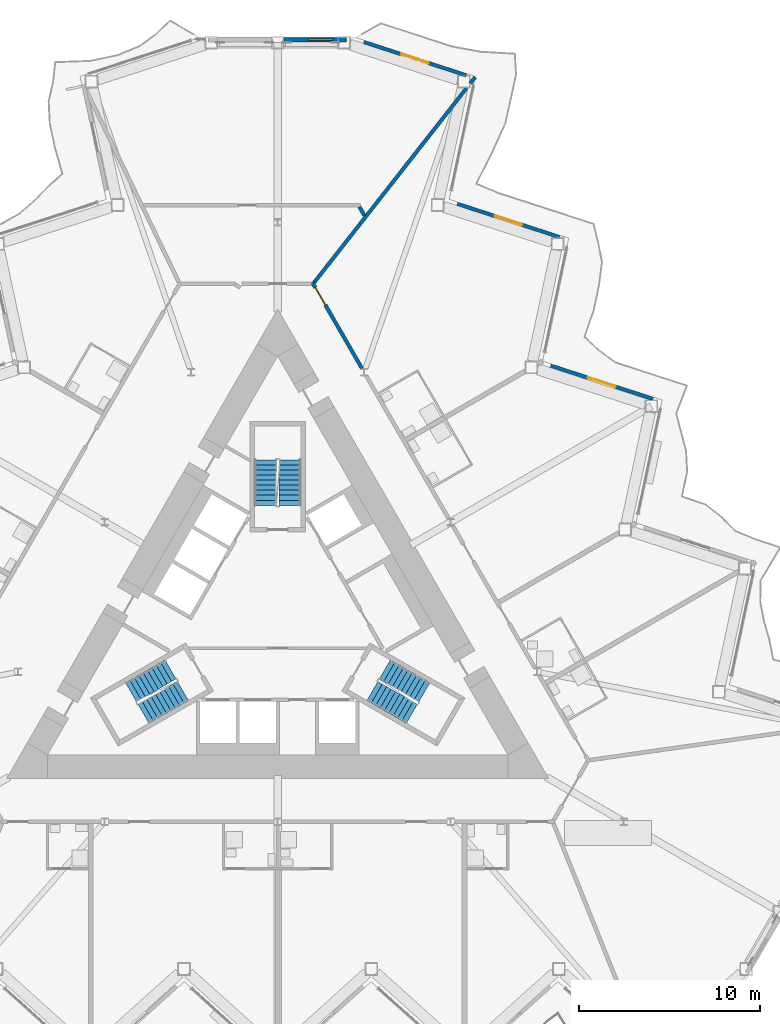
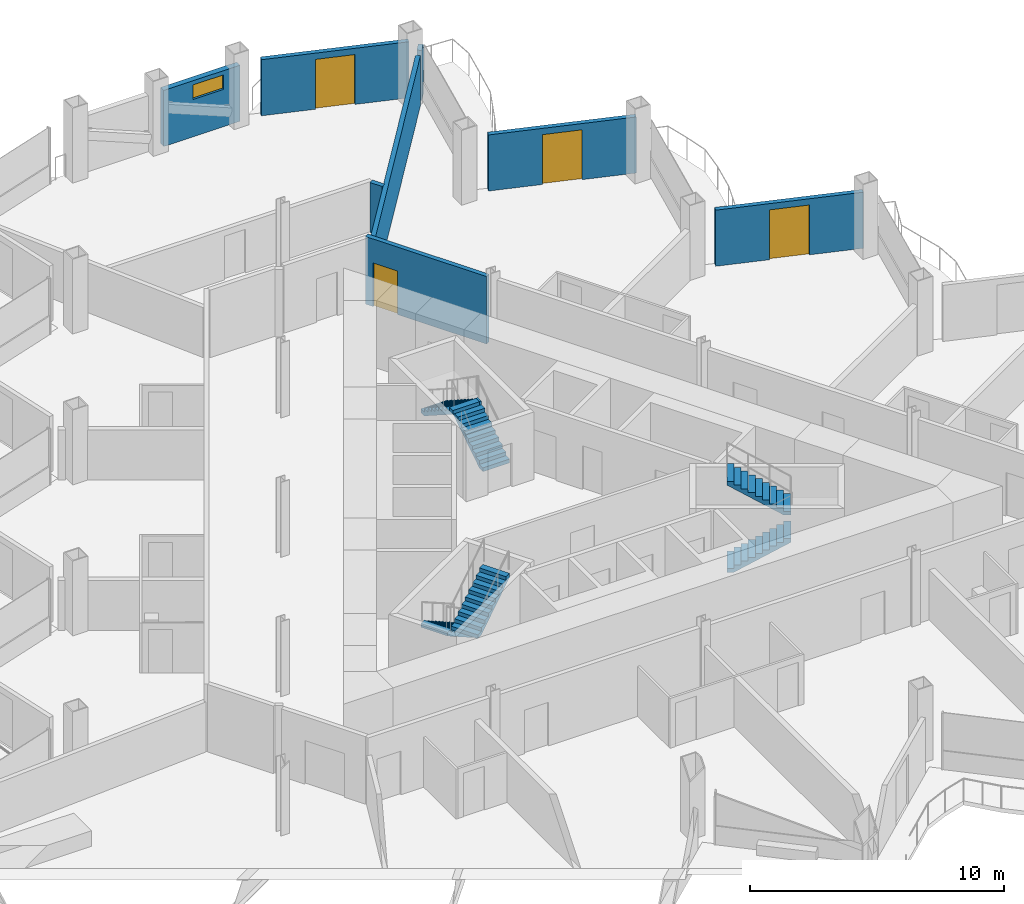
# One storey, part 15 of 24: 8 walls, 6 stair flights, 4 doors, 1 window, 5 openings, 3 elements without a shape of their own.
"""IFC4 building model written with IfcOpenShell, lengths in metres."""

from ifc_helpers import new_model, si_unit, direction, frame, frame_2d, origin, place, context, subcontext, project, spatial, polyline, rectangle, outline, extrude, material, layer, layer_set, type_object, element, fill, aggregate, save


model = new_model("IFC4")

# Units and contexts
model_context = context("Model", 3, precision=1e-05, world=origin(), true_north=direction((0.0, 1.0)))
body_context = subcontext(model_context, "Body", "Model", "MODEL_VIEW")
ifc_project = project(units=[si_unit("LENGTHUNIT", "METRE"), si_unit("AREAUNIT", "SQUARE_METRE"), si_unit("VOLUMEUNIT", "CUBIC_METRE"), si_unit("PLANEANGLEUNIT", "RADIAN"), si_unit("MASSUNIT", "GRAM", prefix="KILO")], contexts=[model_context])

# Site, building, storey
site_placement = place(None, origin())
site = spatial("IfcSite", under=ifc_project, at=site_placement, CompositionType="ELEMENT")
building_placement = place(site_placement, origin())
building = spatial("IfcBuilding", under=site, at=building_placement, Name="Cormorant Prow Tower", CompositionType="ELEMENT")
storey_placement = place(building_placement, frame((0.0, 0.0, 231.0)))
storey = spatial("IfcBuildingStorey", under=building, at=storey_placement, Name="L50", CompositionType="ELEMENT", Elevation=231.0)

# Wall, opening, door
ifc_material_1 = material(Name="Gypsum board corridor wall")
ifc_layer_1 = layer(ifc_material_1, 0.199951171875)
ifc_layer_set_1 = layer_set([ifc_layer_1], Name="Gypsum board corridor wall")
wall_type_1 = type_object("IfcWallType", Name="Corridor wall 200", PredefinedType="PARTITIONING", material=ifc_layer_set_1)
wall_1_placement = place(storey_placement, frame((1.9130859375, 18.80712890625, 0.0), z_axis=(0.0, 0.0, 1.0), x_axis=(0.499984524817, -0.866034338201, 0.0)))
wall_1 = element("IfcWall", 1, at=wall_1_placement, inside=storey, type_object=wall_type_1, Name="Corridor wall", PredefinedType="PARTITIONING", context=body_context, shape_type="SweptSolid", body=[
    extrude(rectangle(XDim=5.510498046875, YDim=0.199951171875, at=frame_2d((2.75537109375, 0.0))), origin(), (0.0, 0.0, 1.0), 3.25),
])
opening_1_placement = place(wall_1_placement, frame((0.350341796875, 0.0, 0.0)))
opening_1 = element("IfcOpeningElement", 2, at=opening_1_placement, cuts=wall_1, Name="Opening L50-F16", PredefinedType="OPENING", context=body_context, shape_type="SweptSolid", body=[
    extrude(rectangle(XDim=1.10009765625, YDim=2.10009765625, at=frame_2d((0.550048828125, 1.050048828125))), frame((0.0, 0.10986328125, 0.0), z_axis=(0.0, -1.0, 0.0), x_axis=(1.0, 0.0, 0.0)), (0.0, 0.0, 1.0), 0.219970703125),
])
ifc_material_2 = material(Name="Timber door leaf", Category="wood")
door_type_1 = type_object("IfcDoorType", Name="Suite entrance door 1100x2100", OperationType="NOTDEFINED", PredefinedType="DOOR", material=ifc_material_2)
door_1_placement = place(opening_1_placement, origin())
door_1 = element("IfcDoor", 3, at=door_1_placement, inside=storey, type_object=door_type_1, Name="Executive suite bedroom door", OperationType="SINGLE_SWING_LEFT", OverallHeight=2.10009765625, OverallWidth=1.10009765625, PredefinedType="DOOR", context=body_context, shape_type="SweptSolid", body=[
    extrude(rectangle(XDim=1.10009765625, YDim=2.10009765625, at=frame_2d((0.550048828125, 1.050048828125))), frame((0.0, 0.02490234375, 0.0), z_axis=(0.0, -1.0, 0.0), x_axis=(1.0, 0.0, 0.0)), (0.0, 0.0, 1.0), 0.050048828125),
])
fill(opening_1, door_1)

# Walls
ifc_material_3 = material(Name="Gypsum board demising wall")
ifc_layer_2 = layer(ifc_material_3, 0.199951171875)
ifc_layer_set_2 = layer_set([ifc_layer_2], Name="Gypsum board demising wall")
wall_type_2 = type_object("IfcWallType", Name="Demising wall 200", PredefinedType="PARTITIONING", material=ifc_layer_set_2)
wall_2_placement = place(storey_placement, frame((2.024658203125, 18.799072265625, 0.0), z_axis=(0.0, 0.0, 1.0), x_axis=(0.616942368609, 0.787008331478, 0.0)))
element("IfcWall", 4, at=wall_2_placement, inside=storey, type_object=wall_type_2, Name="Demising wall", PredefinedType="PARTITIONING", context=body_context, shape_type="SweptSolid", body=[
    extrude(rectangle(XDim=13.66796875, YDim=0.199951171875, at=frame_2d((6.833984375, 0.0))), origin(), (0.0, 0.0, 1.0), 2.404296875),
])
wall_3_placement = place(storey_placement, frame((4.5244140625, 22.98388671875, 0.0), z_axis=(0.0, 0.0, 1.0), x_axis=(0.500248658738, -0.865881792989, 0.0)))
element("IfcWall", 5, at=wall_3_placement, inside=storey, type_object=wall_type_2, Name="Demising wall", PredefinedType="PARTITIONING", context=body_context, shape_type="SweptSolid", body=[
    extrude(rectangle(XDim=0.562255859375, YDim=0.199951171875, at=frame_2d((0.28125, 0.0))), origin(), (0.0, 0.0, 1.0), 2.404296875),
])
wall_4_placement = place(storey_placement, frame((10.670166015625, 29.827880859375, 0.0), z_axis=(0.0, 0.0, 1.0), x_axis=(0.617216179113, 0.786793612227, 0.0)))
element("IfcWall", 6, at=wall_4_placement, inside=storey, type_object=wall_type_2, Name="Demising wall", PredefinedType="PARTITIONING", context=body_context, shape_type="SweptSolid", body=[
    extrude(rectangle(XDim=0.427490234375, YDim=0.199951171875, at=frame_2d((0.2138671875, 0.0))), origin(), (0.0, 0.0, 1.0), 2.404296875),
])

# Wall, opening, window
ifc_material_4 = material(Name="Terracotta", Category="masonry")
ifc_layer_3 = layer(ifc_material_4, 0.25)
ifc_layer_set_3 = layer_set([ifc_layer_3], Name="Terracotta")
wall_type_3 = type_object("IfcWallType", Name="Terracotta bay wall 250", PredefinedType="SOLIDWALL", material=ifc_layer_set_3)
wall_5_placement = place(storey_placement, frame((3.822998046875, 32.2314453125, 0.0), z_axis=(0.0, 0.0, 1.0), x_axis=(-1.0, 0.0, 0.0)))
wall_5 = element("IfcWall", 7, at=wall_5_placement, inside=storey, type_object=wall_type_3, Name="Terracotta bay wall N00", PredefinedType="SOLIDWALL", context=body_context, shape_type="SweptSolid", body=[
    extrude(rectangle(XDim=3.472900390625, YDim=0.25, at=frame_2d((1.736328125, 0.0))), origin(), (0.0, 0.0, 1.0), 2.700927734375),
])
opening_2_placement = place(wall_5_placement, frame((0.75, 0.0, 1.800048828125)))
opening_2 = element("IfcOpeningElement", 8, at=opening_2_placement, cuts=wall_5, Name="Opening WN4", PredefinedType="OPENING", context=body_context, shape_type="SweptSolid", body=[
    extrude(rectangle(XDim=1.39990234375, YDim=0.699951171875, at=frame_2d((0.699951171875, 0.35009765625))), frame((0.0, 0.135009765625, 0.0), z_axis=(0.0, -1.0, 0.0), x_axis=(1.0, 0.0, 0.0)), (0.0, 0.0, 1.0), 0.27001953125),
])
ifc_material_5 = material(Name="Aluminium 6063-T6", Category="aluminium")
window_type = type_object("IfcWindowType", Name="Corner bay window 1400x700", PartitioningType="SINGLE_PANEL", PredefinedType="WINDOW", material=ifc_material_5)
window_placement = place(opening_2_placement, origin())
window = element("IfcWindow", 9, at=window_placement, inside=storey, type_object=window_type, Name="Corner bay window N00", OverallHeight=0.699951171875, OverallWidth=1.39990234375, PartitioningType="SINGLE_PANEL", PredefinedType="WINDOW", context=body_context, shape_type="SweptSolid", body=[
    extrude(rectangle(XDim=1.39990234375, YDim=0.699951171875, at=frame_2d((0.699951171875, 0.35009765625))), frame((0.0, 0.030029296875, 0.0), z_axis=(0.0, -1.0, 0.0), x_axis=(1.0, 0.0, 0.0)), (0.0, 0.0, 1.0), 0.06005859375),
])
fill(opening_2, window)

# Wall, opening, door
ifc_material_6 = material(Name="Terracotta", Category="masonry")
ifc_layer_4 = layer(ifc_material_6, 0.199951171875)
ifc_layer_set_4 = layer_set([ifc_layer_4], Name="Terracotta")
wall_type_4 = type_object("IfcWallType", Name="Terracotta jamb wall 200", PredefinedType="SOLIDWALL", material=ifc_layer_set_4)
wall_6_placement = place(storey_placement, frame((20.779296875, 12.349609375, 0.0), z_axis=(0.0, 0.0, 1.0), x_axis=(-0.951065383831, 0.308989701572, 0.0)))
wall_6 = element("IfcWall", 10, at=wall_6_placement, inside=storey, type_object=wall_type_4, Name="Terracotta jamb wall ENE05", PredefinedType="SOLIDWALL", context=body_context, shape_type="SweptSolid", body=[
    extrude(rectangle(XDim=5.95751953125, YDim=0.199951171875, at=frame_2d((2.978759765625, 0.0))), origin(), (0.0, 0.0, 1.0), 2.700927734375),
])
opening_3_placement = place(wall_6_placement, frame((2.1787109375, 0.0, 0.0)))
opening_3 = element("IfcOpeningElement", 11, at=opening_3_placement, cuts=wall_6, Name="Opening ED50.08", PredefinedType="OPENING", context=body_context, shape_type="SweptSolid", body=[
    extrude(rectangle(XDim=1.60009765625, YDim=2.39990234375, at=frame_2d((0.800048828125, 1.199951171875))), frame((0.0, 0.10986328125, 0.0), z_axis=(0.0, -1.0, 0.0), x_axis=(1.0, 0.0, 0.0)), (0.0, 0.0, 1.0), 0.219970703125),
])
ifc_material_7 = material(Name="Aluminium 6063-T6", Category="aluminium")
door_type_2 = type_object("IfcDoorType", Name="Balcony door 1600x2400", OperationType="DOUBLE_DOOR_SINGLE_SWING", PredefinedType="DOOR", material=ifc_material_7)
door_2_placement = place(opening_3_placement, origin())
door_2 = element("IfcDoor", 12, at=door_2_placement, inside=storey, type_object=door_type_2, Name="Balcony door ENE05 ED50.08", OperationType="DOUBLE_DOOR_SINGLE_SWING", OverallHeight=2.39990234375, OverallWidth=1.60009765625, PredefinedType="DOOR", context=body_context, shape_type="SweptSolid", body=[
    extrude(rectangle(XDim=1.60009765625, YDim=2.39990234375, at=frame_2d((0.800048828125, 1.199951171875))), frame((0.0, 0.02490234375, 0.0), z_axis=(0.0, -1.0, 0.0), x_axis=(1.0, 0.0, 0.0)), (0.0, 0.0, 1.0), 0.050048828125),
])
fill(opening_3, door_2)

wall_7_placement = place(storey_placement, frame((15.607421875, 21.3076171875, 0.0), z_axis=(0.0, 0.0, 1.0), x_axis=(-0.951065383831, 0.308989701572, 0.0)))
wall_7 = element("IfcWall", 13, at=wall_7_placement, inside=storey, type_object=wall_type_4, Name="Terracotta jamb wall ENE07", PredefinedType="SOLIDWALL", context=body_context, shape_type="SweptSolid", body=[
    extrude(rectangle(XDim=5.95751953125, YDim=0.199951171875, at=frame_2d((2.978759765625, 0.0))), origin(), (0.0, 0.0, 1.0), 2.700927734375),
])
opening_4_placement = place(wall_7_placement, frame((2.1787109375, 0.0, 0.0)))
opening_4 = element("IfcOpeningElement", 14, at=opening_4_placement, cuts=wall_7, Name="Opening ED50.09", PredefinedType="OPENING", context=body_context, shape_type="SweptSolid", body=[
    extrude(rectangle(XDim=1.60009765625, YDim=2.39990234375, at=frame_2d((0.800048828125, 1.199951171875))), frame((0.0, 0.10986328125, 0.0), z_axis=(0.0, -1.0, 0.0), x_axis=(1.0, 0.0, 0.0)), (0.0, 0.0, 1.0), 0.219970703125),
])
door_3_placement = place(opening_4_placement, origin())
door_3 = element("IfcDoor", 15, at=door_3_placement, inside=storey, type_object=door_type_2, Name="Balcony door ENE07 ED50.09", OperationType="DOUBLE_DOOR_SINGLE_SWING", OverallHeight=2.39990234375, OverallWidth=1.60009765625, PredefinedType="DOOR", context=body_context, shape_type="SweptSolid", body=[
    extrude(rectangle(XDim=1.60009765625, YDim=2.39990234375, at=frame_2d((0.800048828125, 1.199951171875))), frame((0.0, 0.02490234375, 0.0), z_axis=(0.0, -1.0, 0.0), x_axis=(1.0, 0.0, 0.0)), (0.0, 0.0, 1.0), 0.050048828125),
])
fill(opening_4, door_3)

wall_8_placement = place(storey_placement, frame((10.435302734375, 30.265625, 0.0), z_axis=(0.0, 0.0, 1.0), x_axis=(-0.951061471046, 0.309001744805, 0.0)))
wall_8 = element("IfcWall", 16, at=wall_8_placement, inside=storey, type_object=wall_type_4, Name="Terracotta jamb wall ENE09", PredefinedType="SOLIDWALL", context=body_context, shape_type="SweptSolid", body=[
    extrude(rectangle(XDim=5.957275390625, YDim=0.199951171875, at=frame_2d((2.978515625, 0.0))), origin(), (0.0, 0.0, 1.0), 2.700927734375),
])
opening_5_placement = place(wall_8_placement, frame((2.1787109375, 0.0, 0.0)))
opening_5 = element("IfcOpeningElement", 17, at=opening_5_placement, cuts=wall_8, Name="Opening ED50.10", PredefinedType="OPENING", context=body_context, shape_type="SweptSolid", body=[
    extrude(rectangle(XDim=1.60009765625, YDim=2.39990234375, at=frame_2d((0.800048828125, 1.199951171875))), frame((0.0, 0.10986328125, 0.0), z_axis=(0.0, -1.0, 0.0), x_axis=(1.0, 0.0, 0.0)), (0.0, 0.0, 1.0), 0.219970703125),
])
door_4_placement = place(opening_5_placement, origin())
door_4 = element("IfcDoor", 18, at=door_4_placement, inside=storey, type_object=door_type_2, Name="Balcony door ENE09 ED50.10", OperationType="DOUBLE_DOOR_SINGLE_SWING", OverallHeight=2.39990234375, OverallWidth=1.60009765625, PredefinedType="DOOR", context=body_context, shape_type="SweptSolid", body=[
    extrude(rectangle(XDim=1.60009765625, YDim=2.39990234375, at=frame_2d((0.800048828125, 1.199951171875))), frame((0.0, 0.02490234375, 0.0), z_axis=(0.0, -1.0, 0.0), x_axis=(1.0, 0.0, 0.0)), (0.0, 0.0, 1.0), 0.050048828125),
])
fill(opening_5, door_4)

# Stair, stair flights
ifc_material_8 = material(Name="Exit stair 20 risers")
stair_type = type_object("IfcStairType", Name="Exit stair 20 risers", PredefinedType="HALF_TURN_STAIR", material=ifc_material_8)
stair_1_placement = place(storey_placement, origin())
stair_1 = element("IfcStair", 19, at=stair_1_placement, inside=storey, type_object=stair_type, Name="L50 Exit stair ST1", PredefinedType="HALF_TURN_STAIR")
ifc_material_9 = material(Name="Concrete 5000 psi", Category="concrete")
stair_flight_type = type_object("IfcStairFlightType", Name="Stair flight 1219", PredefinedType="STRAIGHT", material=ifc_material_9)
stair_flight_1_placement = place(storey_placement, frame((-5.93310546875, -2.635009765625, 0.0), z_axis=(0.0, 0.0, 1.0), x_axis=(-0.866025403784, -0.5, 0.0)))
stair_flight_1 = element("IfcStairFlight", 20, at=stair_flight_1_placement, type_object=stair_flight_type, Name="ST1 flight 1", NumberOfRisers=10, NumberOfTreads=9, PredefinedType="STRAIGHT", RiserHeight=0.18, TreadLength=0.28, context=body_context, shape_type="SweptSolid", body=[
    extrude(outline(polyline([(0.0, 0.0), (0.0, 0.179931640625), (0.280029296875, 0.179931640625), (0.280029296875, 0.360107421875), (0.56005859375, 0.360107421875), (0.56005859375, 0.5400390625), (0.840087890625, 0.5400390625), (0.840087890625, 0.719970703125), (1.1201171875, 0.719970703125), (1.1201171875, 0.89990234375), (1.39990234375, 0.89990234375), (1.39990234375, 1.080078125), (1.679931640625, 1.080078125), (1.679931640625, 1.260009765625), (1.9599609375, 1.260009765625), (1.9599609375, 1.43994140625), (2.239990234375, 1.43994140625), (2.239990234375, 1.6201171875), (2.52001953125, 1.6201171875), (2.52001953125, 1.800048828125), (2.52001953125, 1.44189453125), (0.277099609375, 0.0), (0.0, 0.0)])), frame((0.0, 0.609375, 0.0), z_axis=(0.0, -1.0, 0.0), x_axis=(1.0, 0.0, 0.0)), (0.0, 0.0, 1.0), 1.218994140625),
])
stair_flight_2_placement = place(storey_placement, frame((-7.43115234375, -5.080810546875, 1.800048828125), z_axis=(0.0, 0.0, 1.0), x_axis=(0.866025403784, 0.5, 0.0)))
stair_flight_2 = element("IfcStairFlight", 21, at=stair_flight_2_placement, type_object=stair_flight_type, Name="ST1 flight 2", NumberOfRisers=10, NumberOfTreads=9, PredefinedType="STRAIGHT", RiserHeight=0.18, TreadLength=0.28, context=body_context, shape_type="SweptSolid", body=[
    extrude(outline(polyline([(0.0, 0.0), (0.0, 0.179931640625), (0.280029296875, 0.179931640625), (0.280029296875, 0.360107421875), (0.56005859375, 0.360107421875), (0.56005859375, 0.5400390625), (0.840087890625, 0.5400390625), (0.840087890625, 0.719970703125), (1.1201171875, 0.719970703125), (1.1201171875, 0.89990234375), (1.39990234375, 0.89990234375), (1.39990234375, 1.080078125), (1.679931640625, 1.080078125), (1.679931640625, 1.260009765625), (1.9599609375, 1.260009765625), (1.9599609375, 1.43994140625), (2.239990234375, 1.43994140625), (2.239990234375, 1.6201171875), (2.52001953125, 1.6201171875), (2.52001953125, 1.800048828125), (2.52001953125, 1.44189453125), (0.277099609375, 0.0), (0.0, 0.0)])), frame((0.0, 0.609375, 0.0), z_axis=(0.0, -1.0, 0.0), x_axis=(1.0, 0.0, 0.0)), (0.0, 0.0, 1.0), 1.218994140625),
])
aggregate(stair_1, [stair_flight_1, stair_flight_2])

stair_2_placement = place(storey_placement, origin())
stair_2 = element("IfcStair", 22, at=stair_2_placement, inside=storey, type_object=stair_type, Name="L50 Exit stair ST2", PredefinedType="HALF_TURN_STAIR")
stair_flight_3_placement = place(storey_placement, frame((5.24853515625, -3.82080078125, 0.0), z_axis=(0.0, 0.0, 1.0), x_axis=(0.866025403784, -0.5, 0.0)))
stair_flight_3 = element("IfcStairFlight", 23, at=stair_flight_3_placement, type_object=stair_flight_type, Name="ST2 flight 1", NumberOfRisers=10, NumberOfTreads=9, PredefinedType="STRAIGHT", RiserHeight=0.18, TreadLength=0.28, context=body_context, shape_type="SweptSolid", body=[
    extrude(outline(polyline([(0.0, 0.0), (0.0, 0.179931640625), (0.280029296875, 0.179931640625), (0.280029296875, 0.360107421875), (0.56005859375, 0.360107421875), (0.56005859375, 0.5400390625), (0.840087890625, 0.5400390625), (0.840087890625, 0.719970703125), (1.1201171875, 0.719970703125), (1.1201171875, 0.89990234375), (1.39990234375, 0.89990234375), (1.39990234375, 1.080078125), (1.679931640625, 1.080078125), (1.679931640625, 1.260009765625), (1.9599609375, 1.260009765625), (1.9599609375, 1.43994140625), (2.239990234375, 1.43994140625), (2.239990234375, 1.6201171875), (2.52001953125, 1.6201171875), (2.52001953125, 1.800048828125), (2.52001953125, 1.44189453125), (0.277099609375, 0.0), (0.0, 0.0)])), frame((0.0, 0.609375, 0.0), z_axis=(0.0, -1.0, 0.0), x_axis=(1.0, 0.0, 0.0)), (0.0, 0.0, 1.0), 1.218994140625),
])
stair_flight_4_placement = place(storey_placement, frame((8.115478515625, -3.89501953125, 1.800048828125), z_axis=(0.0, 0.0, 1.0), x_axis=(-0.866025403784, 0.5, 0.0)))
stair_flight_4 = element("IfcStairFlight", 24, at=stair_flight_4_placement, type_object=stair_flight_type, Name="ST2 flight 2", NumberOfRisers=10, NumberOfTreads=9, PredefinedType="STRAIGHT", RiserHeight=0.18, TreadLength=0.28, context=body_context, shape_type="SweptSolid", body=[
    extrude(outline(polyline([(0.0, 0.0), (0.0, 0.179931640625), (0.280029296875, 0.179931640625), (0.280029296875, 0.360107421875), (0.56005859375, 0.360107421875), (0.56005859375, 0.5400390625), (0.840087890625, 0.5400390625), (0.840087890625, 0.719970703125), (1.1201171875, 0.719970703125), (1.1201171875, 0.89990234375), (1.39990234375, 0.89990234375), (1.39990234375, 1.080078125), (1.679931640625, 1.080078125), (1.679931640625, 1.260009765625), (1.9599609375, 1.260009765625), (1.9599609375, 1.43994140625), (2.239990234375, 1.43994140625), (2.239990234375, 1.6201171875), (2.52001953125, 1.6201171875), (2.52001953125, 1.800048828125), (2.52001953125, 1.44189453125), (0.277099609375, 0.0), (0.0, 0.0)])), frame((0.0, 0.609375, 0.0), z_axis=(0.0, -1.0, 0.0), x_axis=(1.0, 0.0, 0.0)), (0.0, 0.0, 1.0), 1.218994140625),
])
aggregate(stair_2, [stair_flight_3, stair_flight_4])

stair_3_placement = place(storey_placement, origin())
stair_3 = element("IfcStair", 25, at=stair_3_placement, inside=storey, type_object=stair_type, Name="L50 Exit stair ST3", PredefinedType="HALF_TURN_STAIR")
stair_flight_5_placement = place(storey_placement, frame((0.6845703125, 6.455810546875, 0.0), z_axis=(0.0, 0.0, 1.0), x_axis=(0.0, 1.0, 0.0)))
stair_flight_5 = element("IfcStairFlight", 26, at=stair_flight_5_placement, type_object=stair_flight_type, Name="ST3 flight 1", NumberOfRisers=10, NumberOfTreads=9, PredefinedType="STRAIGHT", RiserHeight=0.18, TreadLength=0.28, context=body_context, shape_type="SweptSolid", body=[
    extrude(outline(polyline([(0.0, 0.0), (0.0, 0.179931640625), (0.280029296875, 0.179931640625), (0.280029296875, 0.360107421875), (0.56005859375, 0.360107421875), (0.56005859375, 0.5400390625), (0.840087890625, 0.5400390625), (0.840087890625, 0.719970703125), (1.1201171875, 0.719970703125), (1.1201171875, 0.89990234375), (1.39990234375, 0.89990234375), (1.39990234375, 1.080078125), (1.679931640625, 1.080078125), (1.679931640625, 1.260009765625), (1.9599609375, 1.260009765625), (1.9599609375, 1.43994140625), (2.239990234375, 1.43994140625), (2.239990234375, 1.6201171875), (2.52001953125, 1.6201171875), (2.52001953125, 1.800048828125), (2.52001953125, 1.44189453125), (0.277099609375, 0.0), (0.0, 0.0)])), frame((0.0, 0.609375, 0.0), z_axis=(0.0, -1.0, 0.0), x_axis=(1.0, 0.0, 0.0)), (0.0, 0.0, 1.0), 1.218994140625),
])
stair_flight_6_placement = place(storey_placement, frame((-0.6845703125, 8.975830078125, 1.800048828125), z_axis=(0.0, 0.0, 1.0), x_axis=(0.0, -1.0, 0.0)))
stair_flight_6 = element("IfcStairFlight", 27, at=stair_flight_6_placement, type_object=stair_flight_type, Name="ST3 flight 2", NumberOfRisers=10, NumberOfTreads=9, PredefinedType="STRAIGHT", RiserHeight=0.18, TreadLength=0.28, context=body_context, shape_type="SweptSolid", body=[
    extrude(outline(polyline([(0.0, 0.0), (0.0, 0.179931640625), (0.280029296875, 0.179931640625), (0.280029296875, 0.360107421875), (0.56005859375, 0.360107421875), (0.56005859375, 0.5400390625), (0.840087890625, 0.5400390625), (0.840087890625, 0.719970703125), (1.1201171875, 0.719970703125), (1.1201171875, 0.89990234375), (1.39990234375, 0.89990234375), (1.39990234375, 1.080078125), (1.679931640625, 1.080078125), (1.679931640625, 1.260009765625), (1.9599609375, 1.260009765625), (1.9599609375, 1.43994140625), (2.239990234375, 1.43994140625), (2.239990234375, 1.6201171875), (2.52001953125, 1.6201171875), (2.52001953125, 1.800048828125), (2.52001953125, 1.44189453125), (0.277099609375, 0.0), (0.0, 0.0)])), frame((0.0, 0.609375, 0.0), z_axis=(0.0, -1.0, 0.0), x_axis=(1.0, 0.0, 0.0)), (0.0, 0.0, 1.0), 1.218994140625),
])
aggregate(stair_3, [stair_flight_5, stair_flight_6])

save(model, "model.ifc")
